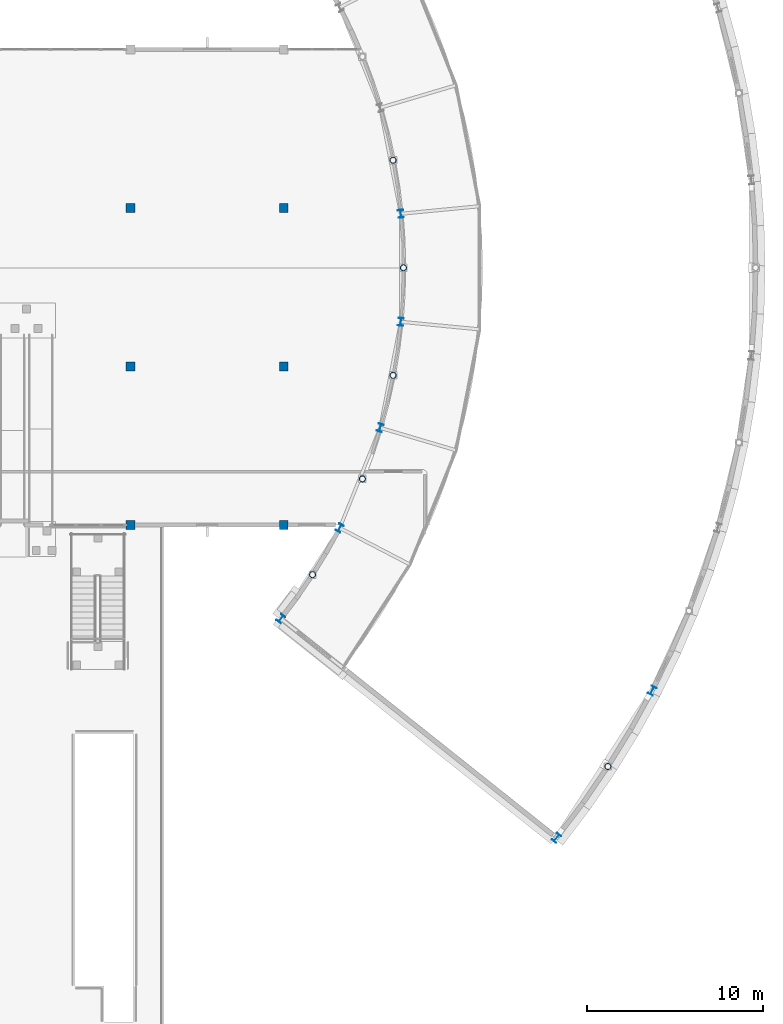
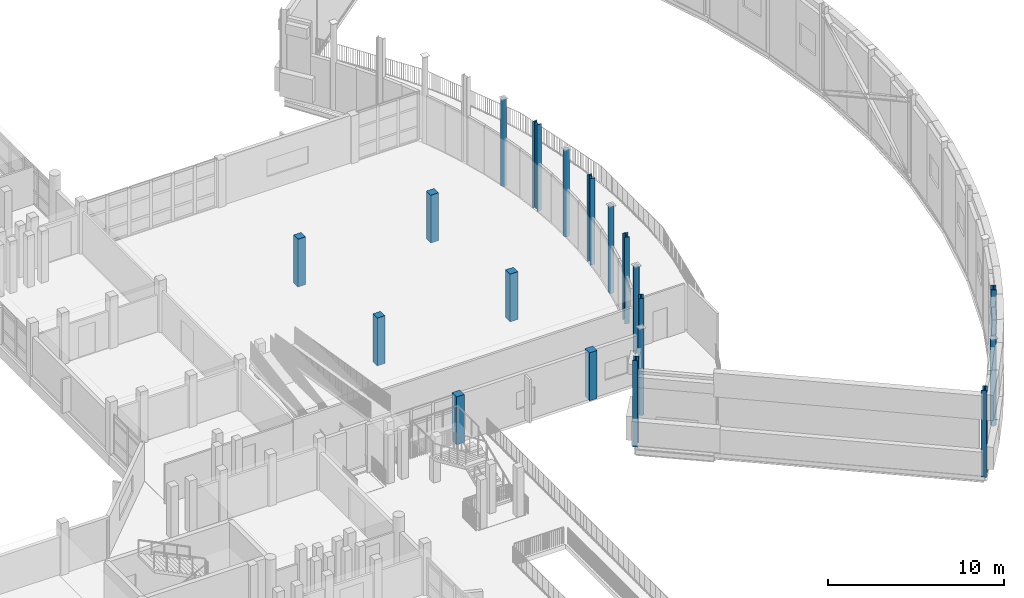
# One storey, part 3 of 104: 19 columns.
"""IFC4 building model written with IfcOpenShell, lengths in metres."""

import ifcopenshell
import ifcopenshell.guid

model = None  # the IFC model being written
_history = None  # IfcOwnerHistory: only IFC2X3 demands one
_inside = {}  # id of a spatial element -> (the spatial element, [elements in it])
_under = {}  # id of a project, library or spatial element -> (it, [spatial elements below it])
_declared = {}  # id of a project -> (the project, [libraries it declares])
_typed = {}  # id of a type object -> (the type object, [elements of that type])
_made_of = {}  # id of a material, layer set ... -> (it, [elements and type objects made of it])


def new_model(schema):
    """Start an empty IFC model of exactly this schema.

    Asked for "IFC4X3", IfcOpenShell would pick the latest addendum, in which some entities
    have other attributes; the version numbers below select the first issue.
    IFC2X3 requires an IfcOwnerHistory on every rooted entity: one is made here for all.
    """
    global model, _history
    if schema == "IFC4X3":
        model = ifcopenshell.file(schema_version=(4, 3, 0, 0))
    else:
        model = ifcopenshell.file(schema=schema)
    _inside.clear()
    _under.clear()
    _declared.clear()
    _typed.clear()
    _made_of.clear()
    _history = None
    if model.schema == "IFC2X3":
        org = make("IfcOrganization", Name="unknown")
        user = make(
            "IfcPersonAndOrganization",
            ThePerson=make("IfcPerson", FamilyName="unknown"),
            TheOrganization=org,
        )
        app = make(
            "IfcApplication",
            ApplicationDeveloper=org,
            Version="unknown",
            ApplicationFullName="unknown",
            ApplicationIdentifier="unknown",
        )
        _history = make(
            "IfcOwnerHistory",
            OwningUser=user,
            OwningApplication=app,
            ChangeAction="ADDED",
            CreationDate=0,
        )
    return model


def make(cls, **values):
    """One entity of the class cls with the attributes given. An attribute that is None is left unset."""
    return model.create_entity(
        cls, **{name: value for name, value in values.items() if value is not None}
    )


def rooted(cls, **values):
    """An entity with a GlobalId (a new one), such as an element, a storey or a relation."""
    return make(cls, GlobalId=ifcopenshell.guid.new(), OwnerHistory=_history, **values)


def si_unit(unit_type, name, prefix=None):
    """IfcSIUnit, for example si_unit("LENGTHUNIT", "METRE", prefix="MILLI")."""
    return make("IfcSIUnit", UnitType=unit_type, Prefix=prefix, Name=name)


def assignment(units):
    """IfcUnitAssignment: the units of a project."""
    return None if units is None else make("IfcUnitAssignment", Units=units)


def point(xyz):
    """IfcCartesianPoint."""
    return None if xyz is None else make("IfcCartesianPoint", Coordinates=xyz)


def direction(xyz):
    """IfcDirection."""
    return None if xyz is None else make("IfcDirection", DirectionRatios=xyz)


def frame(location, z_axis=None, x_axis=None):
    """IfcAxis2Placement3D, a coordinate frame: its origin and axes. An axis left out is left unset."""
    return make(
        "IfcAxis2Placement3D",
        Location=point(location),
        Axis=direction(z_axis),
        RefDirection=direction(x_axis),
    )


def frame_2d(location, x_axis=None):
    """IfcAxis2Placement2D, a coordinate frame in the plane: its origin and x axis."""
    return make(
        "IfcAxis2Placement2D", Location=point(location), RefDirection=direction(x_axis)
    )


def origin():
    """The frame at (0, 0, 0) with its axes left unset."""
    return frame((0.0, 0.0, 0.0))


def origin_2d():
    """The frame at (0, 0) in the plane with its x axis left unset."""
    return frame_2d((0.0, 0.0))


def place(relative_to, where):
    """IfcLocalPlacement: puts the frame where relative to a parent placement (None: the world)."""
    return make(
        "IfcLocalPlacement", PlacementRelTo=relative_to, RelativePlacement=where
    )


def context(
    kind, dimensions, precision=None, world=None, true_north=None, identifier=None
):
    """IfcGeometricRepresentationContext, for example the 3D "Model" context."""
    return make(
        "IfcGeometricRepresentationContext",
        ContextIdentifier=identifier,
        ContextType=kind,
        CoordinateSpaceDimension=dimensions,
        Precision=precision,
        WorldCoordinateSystem=world,
        TrueNorth=true_north,
    )


def subcontext(parent, identifier, kind, view, scale=None):
    """IfcGeometricRepresentationSubContext, for example "Body" below "Model"."""
    return make(
        "IfcGeometricRepresentationSubContext",
        ContextIdentifier=identifier,
        ContextType=kind,
        ParentContext=parent,
        TargetScale=scale,
        TargetView=view,
    )


def project(units=None, contexts=None):
    """IfcProject with its units and contexts."""
    return rooted(
        "IfcProject",
        Name="project",
        RepresentationContexts=contexts,
        UnitsInContext=assignment(units),
    )


def spatial(cls, under=None, at=None, **own):
    """A site, building, storey or space (cls), placed at a placement, below another one or the project."""
    s = rooted(cls, ObjectPlacement=at, **own)
    if under is not None:
        _under.setdefault(under.id(), (under, []))[1].append(s)
    return s


def profile(cls, at=None, kind="AREA", **sizes):
    """A parametric profile (cls). Its sizes go by their IFC names, for example OverallWidth=200.0."""
    return make(cls, ProfileType=kind, Position=at, **sizes)


def rectangle(**sizes):
    """IfcRectangleProfileDef."""
    return profile("IfcRectangleProfileDef", **sizes)


def hollow_circle(**sizes):
    """IfcCircleHollowProfileDef."""
    return profile("IfcCircleHollowProfileDef", **sizes)


def i_section(**sizes):
    """IfcIShapeProfileDef."""
    return profile("IfcIShapeProfileDef", **sizes)


def extrude(swept, where, along, depth):
    """IfcExtrudedAreaSolid: the profile swept, set in the frame where, extruded along a direction by depth."""
    return make(
        "IfcExtrudedAreaSolid",
        SweptArea=swept,
        Position=where,
        ExtrudedDirection=direction(along),
        Depth=depth,
    )


def shape(context_of_items, identifier, shape_type, items):
    """IfcShapeRepresentation: the items that make up one representation, for example the "Body"."""
    return make(
        "IfcShapeRepresentation",
        ContextOfItems=context_of_items,
        RepresentationIdentifier=identifier,
        RepresentationType=shape_type,
        Items=items,
    )


def material(Name=None, Category=None):
    """IfcMaterial."""
    return make("IfcMaterial", Name=Name, Category=Category)


def material_profile(
    of_material, cross_section, Name=None, Category=None, Priority=None
):
    """IfcMaterialProfile: a cross section and its material."""
    return make(
        "IfcMaterialProfile",
        Name=Name,
        Material=of_material,
        Profile=cross_section,
        Priority=Priority,
        Category=Category,
    )


def profile_set(profiles, Name=None, composite=None):
    """IfcMaterialProfileSet."""
    return make(
        "IfcMaterialProfileSet",
        Name=Name,
        MaterialProfiles=profiles,
        CompositeProfile=composite,
    )


def made_of(thing, what):
    """Note that an element or type object is made of a material, layer set ...; save() writes the relation."""
    if what is not None:
        _made_of.setdefault(what.id(), (what, []))[1].append(thing)
    return thing


def type_object(cls, material=None, **own):
    """A type object (cls), such as IfcWallType, which elements share."""
    return made_of(rooted(cls, **own), material)


def element(
    cls,
    number,
    at=None,
    inside=None,
    cuts=None,
    type_object=None,
    material=None,
    context=None,
    identifier="Body",
    shape_type=None,
    held_by="IfcProductDefinitionShape",
    body=None,
    shapes=None,
    **own,
):
    """One element of the class cls, such as IfcWall. Its Tag is "e" and its number.

    at: its placement. inside: the storey or other place that contains it. cuts: it is an
    opening in that element (IfcRelVoidsElement). A single representation is given by context,
    identifier, shape_type and body (its items); several are given by shapes. held_by: the class
    of the entity that holds the representations. save() writes the other relations.
    """
    e = rooted(cls, Tag="e%d" % number, ObjectPlacement=at, **own)
    if body is not None:
        shapes = [shape(context, identifier, shape_type, body)]
    if shapes is not None:
        e.Representation = make(held_by, Representations=shapes)
    if inside is not None:
        _inside.setdefault(inside.id(), (inside, []))[1].append(e)
    if cuts is not None:
        rooted(
            "IfcRelVoidsElement", RelatingBuildingElement=cuts, RelatedOpeningElement=e
        )
    if type_object is not None:
        _typed.setdefault(type_object.id(), (type_object, []))[1].append(e)
    return made_of(e, material)


def aggregate(whole, parts):
    """IfcRelAggregates: a whole, such as a stair, and the parts it consists of."""
    return rooted("IfcRelAggregates", RelatingObject=whole, RelatedObjects=parts)


def save(model, path):
    """Write the relations noted so far, then the file.

    IfcRelAggregates (storeys below a building ...), IfcRelContainedInSpatialStructure (elements
    in a storey), IfcRelDefinesByType, IfcRelAssociatesMaterial and IfcRelDeclares: one each for
    every whole, place, type object, material and project.
    """
    for whole, parts in _under.values():
        aggregate(whole, parts)
    for where, things in _inside.values():
        rooted(
            "IfcRelContainedInSpatialStructure",
            RelatedElements=things,
            RelatingStructure=where,
        )
    for kind, things in _typed.values():
        rooted("IfcRelDefinesByType", RelatedObjects=things, RelatingType=kind)
    for what, things in _made_of.values():
        rooted("IfcRelAssociatesMaterial", RelatedObjects=things, RelatingMaterial=what)
    for by, libraries in _declared.values():
        rooted("IfcRelDeclares", RelatingContext=by, RelatedDefinitions=libraries)
    model.write(path)


model = new_model("IFC4")

# Units and contexts
model_context = context("Model", 3, precision=1e-05, world=origin(), true_north=direction((0.0, 1.0)))
body_context = subcontext(model_context, "Body", "Model", "MODEL_VIEW")
ifc_project = project(units=[si_unit("LENGTHUNIT", "METRE"), si_unit("AREAUNIT", "SQUARE_METRE"), si_unit("VOLUMEUNIT", "CUBIC_METRE"), si_unit("PLANEANGLEUNIT", "RADIAN"), si_unit("MASSUNIT", "GRAM", prefix="KILO")], contexts=[model_context])

# Site, building, storey
site_placement = place(None, origin())
site = spatial("IfcSite", under=ifc_project, at=site_placement, CompositionType="ELEMENT")
building_placement = place(site_placement, origin())
building = spatial("IfcBuilding", under=site, at=building_placement, Name="Vanh Quang Courtyard School", CompositionType="ELEMENT")
storey_placement = place(building_placement, frame((0.0, 0.0, 4.199951171875)))
storey = spatial("IfcBuildingStorey", under=building, at=storey_placement, Name="L01", CompositionType="ELEMENT", Elevation=4.199951171875)

# Columns
ifc_material_1 = material(Name="Concrete C35/45", Category="concrete")
ifc_material_profile_1 = material_profile(ifc_material_1, rectangle(XDim=0.5, YDim=0.5, at=origin_2d()), Name="RC-COL 500x500")
ifc_profile_set_1 = profile_set([ifc_material_profile_1], Name="Concrete C35/45")
column_type_1 = type_object("IfcColumnType", Name="COL-RC-500", PredefinedType="COLUMN", material=ifc_profile_set_1)
for number, where, z_axis, x_axis, name in (
    (1, (128.5, 41.39990234375, 0.0), (0.0, 0.0, 1.0), (1.0, 0.0, 0.0), "Column C-05 (L01)"),
    (2, (128.5, 50.39990234375, 0.0), (0.0, 0.0, 1.0), (1.0, 0.0, 0.0), "Column C-05 (L01)"),
    (3, (128.5, 59.39990234375, 0.0), (0.0, 0.0, 1.0), (1.0, 0.0, 0.0), "Column C-05 (L01)"),
    (4, (137.199951171875, 41.39990234375, 0.0), (0.0, 0.0, 1.0), (1.0, 0.0, 0.0), "Column C-05 (L01)"),
    (5, (137.199951171875, 50.39990234375, 0.0), (0.0, 0.0, 1.0), (1.0, 0.0, 0.0), "Column C-05 (L01)"),
    (6, (137.199951171875, 59.39990234375, 0.0), (0.0, 0.0, 1.0), (1.0, 0.0, 0.0), "Column C-05 (L01)"),
):
    element("IfcColumn", number, at=place(storey_placement, frame(where, z_axis=z_axis, x_axis=x_axis)), inside=storey, type_object=column_type_1, Name=name, PredefinedType="COLUMN", context=body_context, shape_type="SweptSolid", body=[
        extrude(rectangle(XDim=0.5, YDim=0.5, at=origin_2d()), origin(), (0.0, 0.0, 1.0), 3.320068359375),
    ])
ifc_material_2 = material(Name="Structural steel EN 10025-2 S355J2", Category="steel")
ifc_material_profile_2 = material_profile(ifc_material_2, hollow_circle(Radius=0.177734375, WallThickness=0.01611328125, at=origin_2d()), Name="CHS 355.6x16")
ifc_profile_set_2 = profile_set([ifc_material_profile_2], Name="Structural steel EN 10025-2 S355J2")
column_type_2 = type_object("IfcColumnType", Name="COL-STL-CHS355", PredefinedType="COLUMN", material=ifc_profile_set_2)
for number, where, z_axis, x_axis, name in (
    (7, (138.83740234375, 38.571533203125, 0.0), (0.0, 0.0, 1.0), (1.0, 0.0, 0.0), "Column CS-05 (L01)"),
    (8, (141.669921875, 44.0126953125, 0.0), (0.0, 0.0, 1.0), (1.0, 0.0, 0.0), "Column CS-05 (L01)"),
    (9, (143.412109375, 49.89404296875, 0.0), (0.0, 0.0, 1.0), (1.0, 0.0, 0.0), "Column CS-05 (L01)"),
    (10, (144.0, 56.0, 0.0), (0.0, 0.0, 1.0), (1.0, 0.0, 0.0), "Column CS-05 (L01)"),
    (11, (143.412109375, 62.10595703125, 0.0), (0.0, 0.0, 1.0), (1.0, 0.0, 0.0), "Column CS-05 (L01)"),
    (12, (155.61083984375, 27.6787109375, 0.0), (0.0, 0.0, 1.0), (1.0, 0.0, 0.0), "Column CS-05 (L01)"),
):
    element("IfcColumn", number, at=place(storey_placement, frame(where, z_axis=z_axis, x_axis=x_axis)), inside=storey, type_object=column_type_2, Name=name, PredefinedType="COLUMN", context=body_context, shape_type="SweptSolid", body=[
        extrude(hollow_circle(Radius=0.177734375, WallThickness=0.01611328125, at=origin_2d()), origin(), (0.0, 0.0, 1.0), 6.0),
    ])
ifc_material_profile_3 = material_profile(ifc_material_2, i_section(OverallWidth=0.300048828125, OverallDepth=0.489990234375, WebThickness=0.011962890625, FlangeThickness=0.02294921875, FilletRadius=0.027099609375, at=origin_2d()), Name="HEA 500")
ifc_profile_set_3 = profile_set([ifc_material_profile_3], Name="Structural steel EN 10025-2 S355J2")
column_type_3 = type_object("IfcColumnType", Name="COL-STL-HEA500", PredefinedType="COLUMN", material=ifc_profile_set_3)
for number, where, z_axis, x_axis, name in (
    (13, (152.695556640625, 23.629150390625, 0.0), (0.0, 0.0, 1.0), (0.782608156852, -0.622514636638, 0.0), "Column CS-01 (L01)"),
    (14, (158.12451171875, 31.989013671875, 0.0), (0.0, 0.0, 1.0), (0.887010833178, -0.461748613235, 0.0), "Column CS-01 (L01)"),
):
    element("IfcColumn", number, at=place(storey_placement, frame(where, z_axis=z_axis, x_axis=x_axis)), inside=storey, type_object=column_type_3, Name=name, PredefinedType="COLUMN", context=body_context, shape_type="SweptSolid", body=[
        extrude(i_section(OverallWidth=0.300048828125, OverallDepth=0.489990234375, WebThickness=0.011962890625, FlangeThickness=0.02294921875, FilletRadius=0.027099609375, at=origin_2d()), origin(), (0.0, 0.0, 1.0), 6.0),
    ])
ifc_material_profile_4 = material_profile(ifc_material_2, i_section(OverallWidth=0.300048828125, OverallDepth=0.449951171875, WebThickness=0.013916015625, FlangeThickness=0.02587890625, FilletRadius=0.027099609375, at=origin_2d()), Name="HEB 450")
ifc_profile_set_4 = profile_set([ifc_material_profile_4], Name="Structural steel EN 10025-2 S355J2")
column_type_4 = type_object("IfcColumnType", Name="COL-STL-HEB450", PredefinedType="COLUMN", material=ifc_profile_set_4)
for number, where, z_axis, x_axis, name in (
    (15, (137.04345703125, 36.07958984375, 0.0), (0.0, 0.0, 1.0), (0.782608156852, -0.622514636638, 0.0), "Column CS-02 (L01)"),
    (16, (140.38427734375, 41.22412109375, 0.0), (0.0, 0.0, 1.0), (0.887010833178, -0.461748613235, 0.0), "Column CS-02 (L01)"),
    (17, (142.68212890625, 46.91162109375, 0.0), (0.0, 0.0, 1.0), (0.958819734868, -0.284015344704, 0.0), "Column CS-02 (L01)"),
    (18, (143.852783203125, 52.932861328125, 0.0), (0.0, 0.0, 1.0), (0.995396198367, -0.09584575252, 0.0), "Column CS-02 (L01)"),
    (19, (143.852783203125, 59.067138671875, 0.0), (0.0, 0.0, 1.0), (0.995396198367, 0.09584575252, 0.0), "Column CS-02 (L01)"),
):
    element("IfcColumn", number, at=place(storey_placement, frame(where, z_axis=z_axis, x_axis=x_axis)), inside=storey, type_object=column_type_4, Name=name, PredefinedType="COLUMN", context=body_context, shape_type="SweptSolid", body=[
        extrude(i_section(OverallWidth=0.300048828125, OverallDepth=0.449951171875, WebThickness=0.013916015625, FlangeThickness=0.02587890625, FilletRadius=0.027099609375, at=origin_2d()), origin(), (0.0, 0.0, 1.0), 6.0),
    ])

save(model, "model.ifc")
